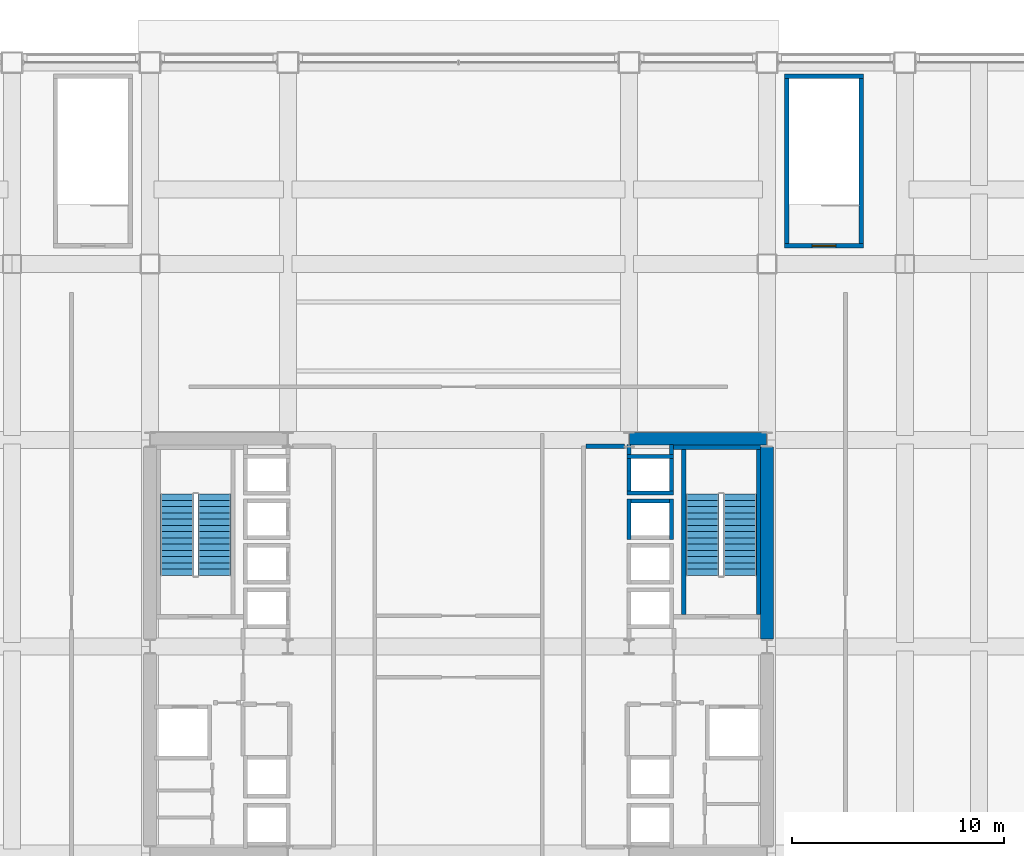
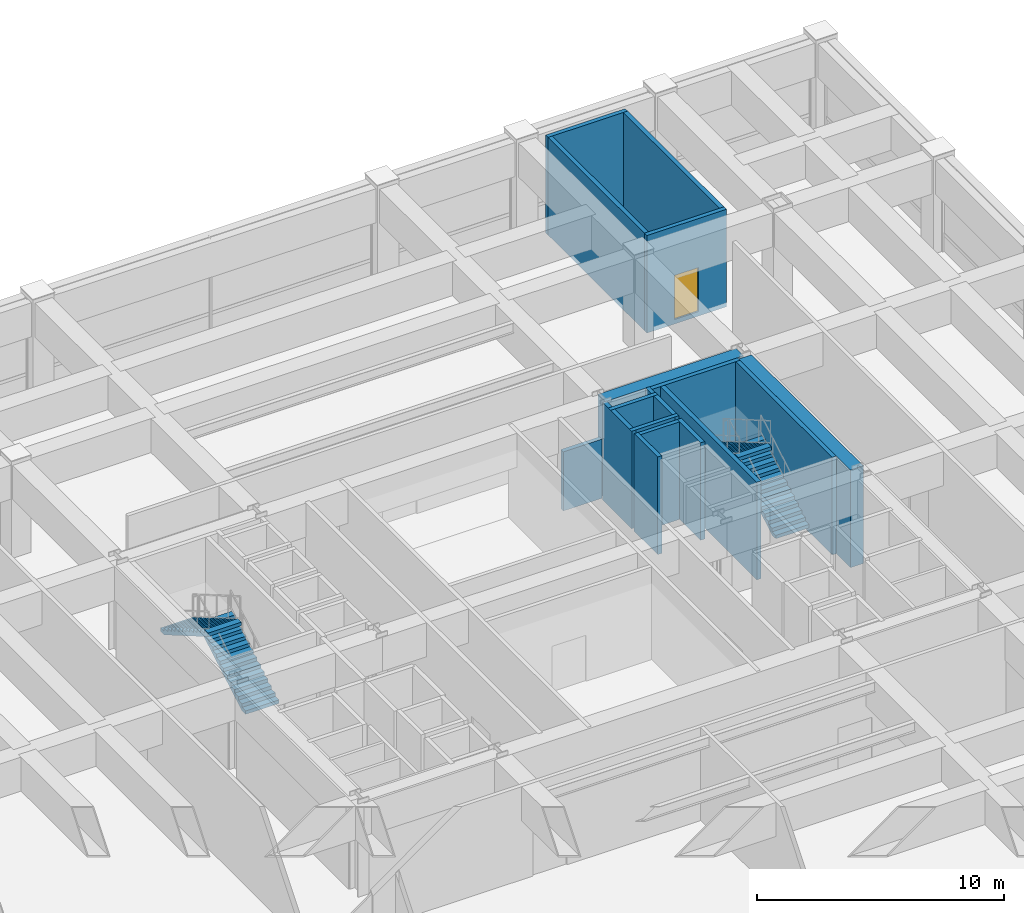
# One storey, part 29 of 30: 17 walls, 4 stair flights, 1 door, 1 opening, 2 elements without a shape of their own.
"""IFC4 building model written with IfcOpenShell, lengths in metres."""

from ifc_helpers import new_model, si_unit, direction, frame, frame_2d, origin, place, context, subcontext, project, spatial, polyline, rectangle, outline, extrude, material, layer, layer_set, type_object, element, fill, aggregate, save


model = new_model("IFC4")

# Units and contexts
model_context = context("Model", 3, precision=1e-05, world=origin(), true_north=direction((0.0, 1.0)))
body_context = subcontext(model_context, "Body", "Model", "MODEL_VIEW")
ifc_project = project(units=[si_unit("LENGTHUNIT", "METRE"), si_unit("AREAUNIT", "SQUARE_METRE"), si_unit("VOLUMEUNIT", "CUBIC_METRE"), si_unit("PLANEANGLEUNIT", "RADIAN"), si_unit("MASSUNIT", "GRAM", prefix="KILO")], contexts=[model_context])

# Site, building, storey
site_placement = place(None, origin())
site = spatial("IfcSite", under=ifc_project, at=site_placement, CompositionType="ELEMENT")
building_placement = place(site_placement, origin())
building = spatial("IfcBuilding", under=site, at=building_placement, Name="Brelmoor Portico Tower", CompositionType="ELEMENT")
storey_placement = place(building_placement, frame((0.0, 0.0, 19.199951171875)))
storey = spatial("IfcBuildingStorey", under=building, at=storey_placement, Name="L04", CompositionType="ELEMENT", Elevation=19.199951171875)

# Walls
ifc_material_1 = material(Name="Concrete C60", Category="concrete")
ifc_layer_1 = layer(ifc_material_1, 0.60009765625)
ifc_layer_set_1 = layer_set([ifc_layer_1], Name="Concrete C60")
wall_type_1 = type_object("IfcWallType", Name="WL-CORE-600", PredefinedType="SHEAR", material=ifc_layer_set_1)
wall_1_placement = place(storey_placement, frame((8.070068359375, 9.800048828125, -0.219970703125), z_axis=(0.0, 0.0, 1.0), x_axis=(1.0, 0.0, 0.0)))
element("IfcWall", 1, at=wall_1_placement, inside=storey, type_object=wall_type_1, Name="L04 EC North Shear Wall", PredefinedType="SHEAR", context=body_context, shape_type="SweptSolid", body=[
    extrude(rectangle(XDim=6.4599609375, YDim=0.60009765625, at=frame_2d((3.22998046875, 0.0))), origin(), (0.0, 0.0, 1.0), 4.820068359375),
])
wall_2_placement = place(storey_placement, frame((14.550048828125, 0.35009765625, -0.219970703125), z_axis=(0.0, 0.0, 1.0), x_axis=(0.0, 1.0, 0.0)))
element("IfcWall", 2, at=wall_2_placement, inside=storey, type_object=wall_type_1, Name="L04 EC Outer North Shear Wall", PredefinedType="SHEAR", context=body_context, shape_type="SweptSolid", body=[
    extrude(rectangle(XDim=9.0498046875, YDim=0.60009765625, at=frame_2d((4.52490234375, 0.0))), origin(), (0.0, 0.0, 1.0), 4.820068359375),
])
ifc_material_2 = material(Name="Double-Stud Gypsum Fire Partition", Category="gypsum")
ifc_layer_2 = layer(ifc_material_2, 0.199951171875)
ifc_layer_set_2 = layer_set([ifc_layer_2], Name="Double-Stud Gypsum Fire Partition")
wall_type_2 = type_object("IfcWallType", Name="WL-PART-200", PredefinedType="PARTITIONING", material=ifc_layer_set_2)
wall_3_placement = place(storey_placement, frame((6.02001953125, 9.449951171875, 0.0), z_axis=(0.0, 0.0, 1.0), x_axis=(1.0, 0.0, 0.0)))
element("IfcWall", 3, at=wall_3_placement, inside=storey, type_object=wall_type_2, Name="L04 E Lift Lobby North End Wall", PredefinedType="PARTITIONING", context=body_context, shape_type="SweptSolid", body=[
    extrude(rectangle(XDim=1.800048828125, YDim=0.199951171875, at=frame_2d((0.89990234375, 0.0))), origin(), (0.0, 0.0, 1.0), 2.920166015625),
])
ifc_material_3 = material(Name="Precast Concrete C40", Category="concrete")
ifc_layer_3 = layer(ifc_material_3, 0.18994140625)
ifc_layer_set_3 = layer_set([ifc_layer_3], Name="Precast Concrete C40")
wall_type_3 = type_object("IfcWallType", Name="WL-SHAFT-180", PredefinedType="SOLIDWALL", material=ifc_layer_set_3)
for number, where, z_axis, x_axis, name in (
    (4, (8.044921875, 5.050048828125, -0.219970703125), (0.0, 0.0, 1.0), (0.0, 1.0, 0.0), "L04 Lift PM3 Hoistway Front Wall"),
    (5, (10.054931640625, 5.050048828125, -0.219970703125), (0.0, 0.0, 1.0), (0.0, 1.0, 0.0), "L04 Lift PM3 Hoistway Back Wall"),
):
    element("IfcWall", number, at=place(storey_placement, frame(where, z_axis=z_axis, x_axis=x_axis)), inside=storey, type_object=wall_type_3, Name=name, PredefinedType="SOLIDWALL", context=body_context, shape_type="SweptSolid", body=[
        extrude(rectangle(XDim=1.89990234375, YDim=0.18994140625, at=frame_2d((0.949951171875, 0.0))), origin(), (0.0, 0.0, 1.0), 4.820068359375),
    ])
wall_4_placement = place(storey_placement, frame((7.949951171875, 6.85498046875, -0.219970703125), z_axis=(0.0, 0.0, 1.0), x_axis=(1.0, 0.0, 0.0)))
element("IfcWall", 6, at=wall_4_placement, inside=storey, type_object=wall_type_3, Name="L04 Lift PM3 Hoistway North Wall", PredefinedType="SOLIDWALL", context=body_context, shape_type="SweptSolid", body=[
    extrude(rectangle(XDim=2.199951171875, YDim=0.18994140625, at=frame_2d((1.10009765625, 0.0))), origin(), (0.0, 0.0, 1.0), 4.820068359375),
])
for number, where, z_axis, x_axis, name in (
    (7, (8.044921875, 7.14990234375, -0.219970703125), (0.0, 0.0, 1.0), (0.0, 1.0, 0.0), "L04 Lift PM4 Hoistway Front Wall"),
    (8, (10.054931640625, 7.14990234375, -0.219970703125), (0.0, 0.0, 1.0), (0.0, 1.0, 0.0), "L04 Lift PM4 Hoistway Back Wall"),
):
    element("IfcWall", number, at=place(storey_placement, frame(where, z_axis=z_axis, x_axis=x_axis)), inside=storey, type_object=wall_type_3, Name=name, PredefinedType="SOLIDWALL", context=body_context, shape_type="SweptSolid", body=[
        extrude(rectangle(XDim=2.3701171875, YDim=0.18994140625, at=frame_2d((1.18505859375, 0.0))), origin(), (0.0, 0.0, 1.0), 4.820068359375),
    ])
for number, where, z_axis, x_axis, name in (
    (9, (7.949951171875, 8.955078125, -0.219970703125), (0.0, 0.0, 1.0), (1.0, 0.0, 0.0), "L04 Lift PM4 Hoistway North Wall"),
    (10, (7.949951171875, 7.2451171875, -0.219970703125), (0.0, 0.0, 1.0), (1.0, 0.0, 0.0), "L04 Lift PM4 Hoistway South Wall"),
):
    element("IfcWall", number, at=place(storey_placement, frame(where, z_axis=z_axis, x_axis=x_axis)), inside=storey, type_object=wall_type_3, Name=name, PredefinedType="SOLIDWALL", context=body_context, shape_type="SweptSolid", body=[
        extrude(rectangle(XDim=2.199951171875, YDim=0.18994140625, at=frame_2d((1.10009765625, 0.0))), origin(), (0.0, 0.0, 1.0), 4.820068359375),
    ])
ifc_material_4 = material(Name="Concrete C40", Category="concrete")
ifc_layer_4 = layer(ifc_material_4, 0.199951171875)
ifc_layer_set_4 = layer_set([ifc_layer_4], Name="Concrete C40")
wall_type_4 = type_object("IfcWallType", Name="WL-SHAFT-RC200", PredefinedType="SOLIDWALL", material=ifc_layer_set_4)
wall_5_placement = place(storey_placement, frame((14.14990234375, 1.5, -0.219970703125), z_axis=(0.0, 0.0, 1.0), x_axis=(0.0, 1.0, 0.0)))
element("IfcWall", 11, at=wall_5_placement, inside=storey, type_object=wall_type_4, Name="L04 ST-E Structural Stair Wall Outer", PredefinedType="SOLIDWALL", context=body_context, shape_type="SweptSolid", body=[
    extrude(rectangle(XDim=7.800048828125, YDim=0.199951171875, at=frame_2d((3.89990234375, 0.0))), origin(), (0.0, 0.0, 1.0), 4.820068359375),
])
wall_6_placement = place(storey_placement, frame((10.14990234375, 9.39990234375, -0.219970703125), z_axis=(0.0, 0.0, 1.0), x_axis=(1.0, 0.0, 0.0)))
element("IfcWall", 12, at=wall_6_placement, inside=storey, type_object=wall_type_4, Name="L04 ST-E Structural Stair Wall N", PredefinedType="SOLIDWALL", context=body_context, shape_type="SweptSolid", body=[
    extrude(rectangle(XDim=4.10009765625, YDim=0.199951171875, at=frame_2d((2.050048828125, 0.0))), origin(), (0.0, 0.0, 1.0), 4.820068359375),
])
wall_7_placement = place(storey_placement, frame((10.6298828125, 1.5, -0.219970703125), z_axis=(0.0, 0.0, 1.0), x_axis=(0.0, 1.0, 0.0)))
element("IfcWall", 13, at=wall_7_placement, inside=storey, type_object=wall_type_4, Name="L04 ST-E Structural Stair Wall Inner", PredefinedType="SOLIDWALL", context=body_context, shape_type="SweptSolid", body=[
    extrude(rectangle(XDim=7.800048828125, YDim=0.199951171875, at=frame_2d((3.89990234375, 0.0))), origin(), (0.0, 0.0, 1.0), 4.820068359375),
])

# Wall, opening, door
wall_8_placement = place(storey_placement, frame((15.3798828125, 18.89990234375, -0.219970703125), z_axis=(0.0, 0.0, 1.0), x_axis=(1.0, 0.0, 0.0)))
wall_8 = element("IfcWall", 14, at=wall_8_placement, inside=storey, type_object=wall_type_4, Name="L04 ST-P2 Structural Stair Wall S", PredefinedType="SOLIDWALL", context=body_context, shape_type="SweptSolid", body=[
    extrude(rectangle(XDim=3.72021484375, YDim=0.199951171875, at=frame_2d((1.860107421875, 0.0))), origin(), (0.0, 0.0, 1.0), 4.820068359375),
])
opening_placement = place(wall_8_placement, frame((1.300048828125, 0.0, 0.219970703125)))
opening = element("IfcOpeningElement", 15, at=opening_placement, cuts=wall_8, Name="Opening D-ST1", PredefinedType="OPENING", context=body_context, shape_type="SweptSolid", body=[
    extrude(rectangle(XDim=1.1201171875, YDim=2.179931640625, at=frame_2d((0.56005859375, 1.08984375))), frame((0.0, 0.10986328125, 0.0), z_axis=(0.0, -1.0, 0.0), x_axis=(1.0, 0.0, 0.0)), (0.0, 0.0, 1.0), 0.219970703125),
])
ifc_material_5 = material(Name="Painted Galvanised Steel Fire Door", Category="steel")
door_type = type_object("IfcDoorType", Name="DR-STAIR-1100", OperationType="NOTDEFINED", PredefinedType="DOOR", material=ifc_material_5)
door_placement = place(opening_placement, origin())
door = element("IfcDoor", 16, at=door_placement, inside=storey, type_object=door_type, Name="D-0220 L04 ST-P2 Podium Exit Stair Door", OperationType="SINGLE_SWING_RIGHT", OverallHeight=2.179931640625, OverallWidth=1.1201171875, PredefinedType="DOOR", context=body_context, shape_type="SweptSolid", body=[
    extrude(rectangle(XDim=1.1201171875, YDim=2.179931640625, at=frame_2d((0.56005859375, 1.08984375))), frame((0.0, 0.02490234375, 0.0), z_axis=(0.0, -1.0, 0.0), x_axis=(1.0, 0.0, 0.0)), (0.0, 0.0, 1.0), 0.050048828125),
])
fill(opening, door)

# Walls
wall_9_placement = place(storey_placement, frame((15.3798828125, 26.89990234375, -0.219970703125), z_axis=(0.0, 0.0, 1.0), x_axis=(1.0, 0.0, 0.0)))
element("IfcWall", 17, at=wall_9_placement, inside=storey, type_object=wall_type_4, Name="L04 ST-P2 Structural Stair Wall N", PredefinedType="SOLIDWALL", context=body_context, shape_type="SweptSolid", body=[
    extrude(rectangle(XDim=3.72021484375, YDim=0.199951171875, at=frame_2d((1.860107421875, 0.0))), origin(), (0.0, 0.0, 1.0), 4.820068359375),
])
for number, where, z_axis, x_axis, name in (
    (18, (15.47998046875, 19.0, -0.219970703125), (0.0, 0.0, 1.0), (0.0, 1.0, 0.0), "L04 ST-P2 Structural Stair Wall W"),
    (19, (19.0, 19.0, -0.219970703125), (0.0, 0.0, 1.0), (0.0, 1.0, 0.0), "L04 ST-P2 Structural Stair Wall E"),
):
    element("IfcWall", number, at=place(storey_placement, frame(where, z_axis=z_axis, x_axis=x_axis)), inside=storey, type_object=wall_type_4, Name=name, PredefinedType="SOLIDWALL", context=body_context, shape_type="SweptSolid", body=[
        extrude(rectangle(XDim=7.800048828125, YDim=0.199951171875, at=frame_2d((3.89990234375, 0.0))), origin(), (0.0, 0.0, 1.0), 4.820068359375),
    ])

# Stair, stair flights
stair_type_1 = type_object("IfcStairType", Name="ST-CORE-W", PredefinedType="HALF_TURN_STAIR", material=ifc_material_4)
stair_1_placement = place(storey_placement, origin())
stair_1 = element("IfcStair", 20, at=stair_1_placement, inside=storey, type_object=stair_type_1, Name="L04 Protected Core Exit Stair ST-W", PredefinedType="HALF_TURN_STAIR")
stair_flight_type = type_object("IfcStairFlightType", Name="SF-CORE-1850", PredefinedType="STRAIGHT", material=ifc_material_4)
stair_flight_1_placement = place(storey_placement, frame((-11.510009765625, 3.35009765625, 0.0), z_axis=(0.0, 0.0, 1.0), x_axis=(0.0, 1.0, 0.0)))
stair_flight_1 = element("IfcStairFlight", 21, at=stair_flight_1_placement, type_object=stair_flight_type, Name="ST-W flight 1", NumberOfRisers=14, NumberOfTreads=13, PredefinedType="STRAIGHT", RiserHeight=0.171428571, TreadLength=0.295, context=body_context, shape_type="SweptSolid", body=[
    extrude(outline(polyline([(0.0, 0.0), (0.0, 0.17138671875), (0.294921875, 0.17138671875), (0.294921875, 0.3427734375), (0.590087890625, 0.3427734375), (0.590087890625, 0.514404296875), (0.885009765625, 0.514404296875), (0.885009765625, 0.685791015625), (1.179931640625, 0.685791015625), (1.179931640625, 0.857177734375), (1.47509765625, 0.857177734375), (1.47509765625, 1.028564453125), (1.77001953125, 1.028564453125), (1.77001953125, 1.199951171875), (2.06494140625, 1.199951171875), (2.06494140625, 1.371337890625), (2.360107421875, 1.371337890625), (2.360107421875, 1.54296875), (2.655029296875, 1.54296875), (2.655029296875, 1.71435546875), (2.949951171875, 1.71435546875), (2.949951171875, 1.8857421875), (3.2451171875, 1.8857421875), (3.2451171875, 2.05712890625), (3.5400390625, 2.05712890625), (3.5400390625, 2.228515625), (3.8349609375, 2.228515625), (3.8349609375, 2.39990234375), (3.8349609375, 2.05517578125), (0.29833984375, 0.0), (0.0, 0.0)])), frame((0.0, 0.780029296875, 0.0), z_axis=(0.0, -1.0, 0.0), x_axis=(1.0, 0.0, 0.0)), (0.0, 0.0, 1.0), 1.56005859375),
])
stair_flight_2_placement = place(storey_placement, frame((-13.27001953125, 7.18505859375, 2.400146484375), z_axis=(0.0, 0.0, 1.0), x_axis=(0.0, -1.0, 0.0)))
stair_flight_2 = element("IfcStairFlight", 22, at=stair_flight_2_placement, type_object=stair_flight_type, Name="ST-W flight 2", NumberOfRisers=14, NumberOfTreads=13, PredefinedType="STRAIGHT", RiserHeight=0.171428571, TreadLength=0.295, context=body_context, shape_type="SweptSolid", body=[
    extrude(outline(polyline([(0.0, 0.0), (0.0, 0.17138671875), (0.294921875, 0.17138671875), (0.294921875, 0.3427734375), (0.590087890625, 0.3427734375), (0.590087890625, 0.514404296875), (0.885009765625, 0.514404296875), (0.885009765625, 0.685791015625), (1.179931640625, 0.685791015625), (1.179931640625, 0.857177734375), (1.47509765625, 0.857177734375), (1.47509765625, 1.028564453125), (1.77001953125, 1.028564453125), (1.77001953125, 1.199951171875), (2.06494140625, 1.199951171875), (2.06494140625, 1.371337890625), (2.360107421875, 1.371337890625), (2.360107421875, 1.54296875), (2.655029296875, 1.54296875), (2.655029296875, 1.71435546875), (2.949951171875, 1.71435546875), (2.949951171875, 1.8857421875), (3.2451171875, 1.8857421875), (3.2451171875, 2.05712890625), (3.5400390625, 2.05712890625), (3.5400390625, 2.228515625), (3.8349609375, 2.228515625), (3.8349609375, 2.39990234375), (3.8349609375, 2.05517578125), (0.29833984375, 0.0), (0.0, 0.0)])), frame((0.0, 0.780029296875, 0.0), z_axis=(0.0, -1.0, 0.0), x_axis=(1.0, 0.0, 0.0)), (0.0, 0.0, 1.0), 1.56005859375),
])
aggregate(stair_1, [stair_flight_1, stair_flight_2])

stair_type_2 = type_object("IfcStairType", Name="ST-CORE-E", PredefinedType="HALF_TURN_STAIR", material=ifc_material_4)
stair_2_placement = place(storey_placement, origin())
stair_2 = element("IfcStair", 23, at=stair_2_placement, inside=storey, type_object=stair_type_2, Name="L04 Protected Core Exit Stair ST-E", PredefinedType="HALF_TURN_STAIR")
stair_flight_3_placement = place(storey_placement, frame((13.27001953125, 3.35009765625, 0.0), z_axis=(0.0, 0.0, 1.0), x_axis=(0.0, 1.0, 0.0)))
stair_flight_3 = element("IfcStairFlight", 24, at=stair_flight_3_placement, type_object=stair_flight_type, Name="ST-E flight 1", NumberOfRisers=14, NumberOfTreads=13, PredefinedType="STRAIGHT", RiserHeight=0.171428571, TreadLength=0.295, context=body_context, shape_type="SweptSolid", body=[
    extrude(outline(polyline([(0.0, 0.0), (0.0, 0.17138671875), (0.294921875, 0.17138671875), (0.294921875, 0.3427734375), (0.590087890625, 0.3427734375), (0.590087890625, 0.514404296875), (0.885009765625, 0.514404296875), (0.885009765625, 0.685791015625), (1.179931640625, 0.685791015625), (1.179931640625, 0.857177734375), (1.47509765625, 0.857177734375), (1.47509765625, 1.028564453125), (1.77001953125, 1.028564453125), (1.77001953125, 1.199951171875), (2.06494140625, 1.199951171875), (2.06494140625, 1.371337890625), (2.360107421875, 1.371337890625), (2.360107421875, 1.54296875), (2.655029296875, 1.54296875), (2.655029296875, 1.71435546875), (2.949951171875, 1.71435546875), (2.949951171875, 1.8857421875), (3.2451171875, 1.8857421875), (3.2451171875, 2.05712890625), (3.5400390625, 2.05712890625), (3.5400390625, 2.228515625), (3.8349609375, 2.228515625), (3.8349609375, 2.39990234375), (3.8349609375, 2.05517578125), (0.29833984375, 0.0), (0.0, 0.0)])), frame((0.0, 0.780029296875, 0.0), z_axis=(0.0, -1.0, 0.0), x_axis=(1.0, 0.0, 0.0)), (0.0, 0.0, 1.0), 1.56005859375),
])
stair_flight_4_placement = place(storey_placement, frame((11.510009765625, 7.18505859375, 2.400146484375), z_axis=(0.0, 0.0, 1.0), x_axis=(0.0, -1.0, 0.0)))
stair_flight_4 = element("IfcStairFlight", 25, at=stair_flight_4_placement, type_object=stair_flight_type, Name="ST-E flight 2", NumberOfRisers=14, NumberOfTreads=13, PredefinedType="STRAIGHT", RiserHeight=0.171428571, TreadLength=0.295, context=body_context, shape_type="SweptSolid", body=[
    extrude(outline(polyline([(0.0, 0.0), (0.0, 0.17138671875), (0.294921875, 0.17138671875), (0.294921875, 0.3427734375), (0.590087890625, 0.3427734375), (0.590087890625, 0.514404296875), (0.885009765625, 0.514404296875), (0.885009765625, 0.685791015625), (1.179931640625, 0.685791015625), (1.179931640625, 0.857177734375), (1.47509765625, 0.857177734375), (1.47509765625, 1.028564453125), (1.77001953125, 1.028564453125), (1.77001953125, 1.199951171875), (2.06494140625, 1.199951171875), (2.06494140625, 1.371337890625), (2.360107421875, 1.371337890625), (2.360107421875, 1.54296875), (2.655029296875, 1.54296875), (2.655029296875, 1.71435546875), (2.949951171875, 1.71435546875), (2.949951171875, 1.8857421875), (3.2451171875, 1.8857421875), (3.2451171875, 2.05712890625), (3.5400390625, 2.05712890625), (3.5400390625, 2.228515625), (3.8349609375, 2.228515625), (3.8349609375, 2.39990234375), (3.8349609375, 2.05517578125), (0.29833984375, 0.0), (0.0, 0.0)])), frame((0.0, 0.780029296875, 0.0), z_axis=(0.0, -1.0, 0.0), x_axis=(1.0, 0.0, 0.0)), (0.0, 0.0, 1.0), 1.56005859375),
])
aggregate(stair_2, [stair_flight_3, stair_flight_4])

save(model, "model.ifc")
